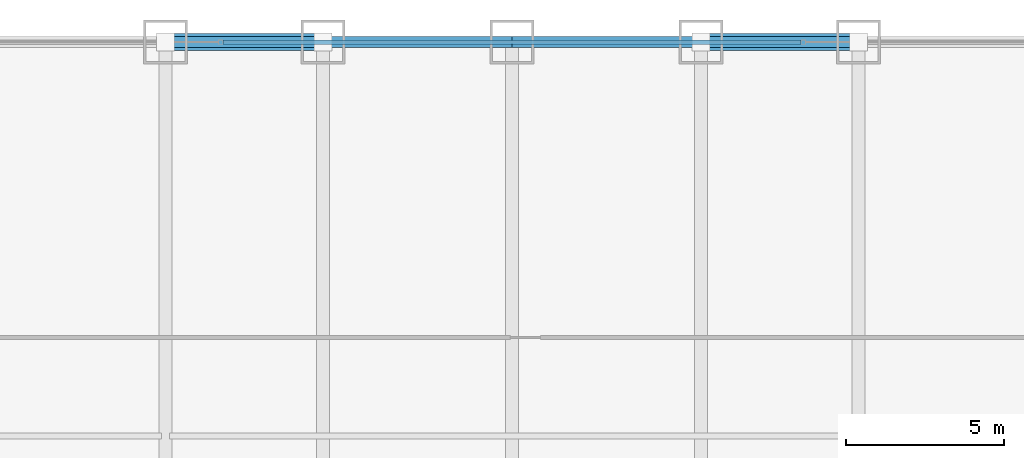
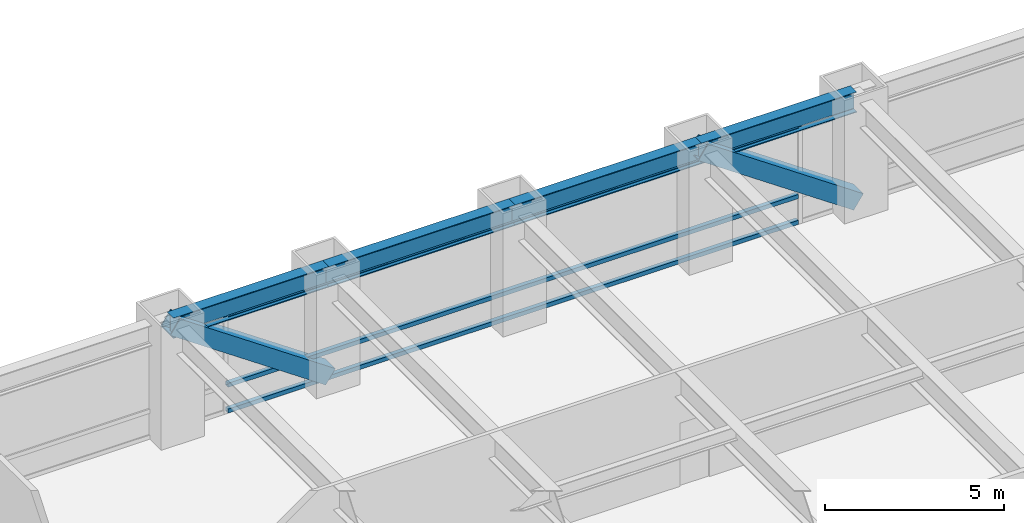
# One storey, part 20 of 27: 5 members, 4 beams, 1 element without a shape of its own.
"""IFC4 building model written with IfcOpenShell, lengths in metres."""

from ifc_helpers import new_model, si_unit, direction, frame, origin, origin_2d, place, context, subcontext, project, spatial, hollow_rectangle, i_section, extrude, source, transform, mapped, material, material_profile, profile_set, type_object, element, aggregate, save


model = new_model("IFC4")

# Units and contexts
model_context = context("Model", 3, precision=1e-05, world=origin(), true_north=direction((0.0, 1.0)))
body_context = subcontext(model_context, "Body", "Model", "MODEL_VIEW")
ifc_project = project(units=[si_unit("LENGTHUNIT", "METRE"), si_unit("AREAUNIT", "SQUARE_METRE"), si_unit("VOLUMEUNIT", "CUBIC_METRE"), si_unit("PLANEANGLEUNIT", "RADIAN"), si_unit("MASSUNIT", "GRAM", prefix="KILO")], contexts=[model_context])

# Site, building, storey
site_placement = place(None, origin())
site = spatial("IfcSite", under=ifc_project, at=site_placement, CompositionType="ELEMENT")
building_placement = place(site_placement, origin())
building = spatial("IfcBuilding", under=site, at=building_placement, Name="Khorayat Bourse Tower", CompositionType="ELEMENT")
storey_placement = place(building_placement, frame((0.0, 0.0, 49.39990234375)))
storey = spatial("IfcBuildingStorey", under=building, at=storey_placement, Name="L10", CompositionType="ELEMENT", Elevation=49.39990234375)

# Beams
ifc_material_1 = material(Name="Steel ASTM A992 Grade 50", Category="steel")
ifc_material_profile_1 = material_profile(ifc_material_1, i_section(OverallWidth=0.35498046875, OverallDepth=0.695068359375, WebThickness=0.015380859375, FlangeThickness=0.02490234375, FilletRadius=0.01806640625, at=origin_2d()), Name="W690X217")
ifc_profile_set_1 = profile_set([ifc_material_profile_1], Name="Steel ASTM A992 Grade 50")
beam_type = type_object("IfcBeamType", Name="BM-SPAN-690", PredefinedType="SPANDREL", material=ifc_profile_set_1)
shared_shape_1 = source(origin(), body_context, "Body", "SweptSolid", [
    extrude(i_section(OverallWidth=0.35498046875, OverallDepth=0.695068359375, WebThickness=0.015380859375, FlangeThickness=0.02490234375, FilletRadius=0.01806640625, at=origin_2d()), origin(), (0.0, 0.0, 1.0), 5.0),
])
for number, where, z_axis, x_axis, name in (
    (1, (6.0, 32.0, 3.592529296875), (1.0, 0.0, 0.0), (0.0, 1.0, 0.0), "L10 BM-SPAN-690 BM-L10-SPN-046"),
    (2, (-11.0, 32.0, 3.592529296875), (1.0, 0.0, 0.0), (0.0, 1.0, 0.0), "L10 BM-SPAN-690 BM-L10-SPN-049"),
):
    element("IfcBeam", number, at=place(storey_placement, frame(where, z_axis=z_axis, x_axis=x_axis)), inside=storey, type_object=beam_type, Name=name, PredefinedType="SPANDREL", context=body_context, shape_type="MappedRepresentation", body=[
        mapped(shared_shape_1, transform((0.0, 0.0, 0.0), scale=1.0)),
    ])
shared_shape_2 = source(origin(), body_context, "Body", "SweptSolid", [
    extrude(i_section(OverallWidth=0.35498046875, OverallDepth=0.695068359375, WebThickness=0.015380859375, FlangeThickness=0.02490234375, FilletRadius=0.01806640625, at=origin_2d()), origin(), (0.0, 0.0, 1.0), 6.0),
])
for number, where, z_axis, x_axis, name in (
    (3, (0.0, 32.0, 3.592529296875), (1.0, 0.0, 0.0), (0.0, 1.0, 0.0), "L10 BM-SPAN-690 BM-L10-SPN-047"),
    (4, (-6.0, 32.0, 3.592529296875), (1.0, 0.0, 0.0), (0.0, 1.0, 0.0), "L10 BM-SPAN-690 BM-L10-SPN-048"),
):
    element("IfcBeam", number, at=place(storey_placement, frame(where, z_axis=z_axis, x_axis=x_axis)), inside=storey, type_object=beam_type, Name=name, PredefinedType="SPANDREL", context=body_context, shape_type="MappedRepresentation", body=[
        mapped(shared_shape_2, transform((0.0, 0.0, 0.0), scale=1.0)),
    ])

# Members
ifc_material_2 = material(Name="Steel EN 10025-4 S460M", Category="steel")
ifc_material_profile_2 = material_profile(ifc_material_2, hollow_rectangle(XDim=0.550048828125, YDim=0.550048828125, WallThickness=0.031982421875, at=origin_2d()), Name="HSS 550x550x32")
ifc_profile_set_2 = profile_set([ifc_material_profile_2], Name="Steel EN 10025-4 S460M")
member_type_1 = type_object("IfcMemberType", Name="MBR-TUBE-550", PredefinedType="BRACE", material=ifc_profile_set_2)
shared_shape_3 = source(origin(), body_context, "Body", "SweptSolid", [
    extrude(hollow_rectangle(XDim=0.550048828125, YDim=0.550048828125, WallThickness=0.031982421875, at=origin_2d()), origin(), (0.0, 0.0, 1.0), 6.069091796875),
])
for number, where, z_axis, x_axis, name in (
    (5, (-11.0, 32.0, 3.690185546875), (0.823835295996, 0.0, -0.566829255659), (0.0, 1.0, 0.0), "L10 Perimeter Tube Brace 03"),
    (6, (6.0, 32.0, 3.690185546875), (0.823835295996, 0.0, -0.566829255659), (0.0, 1.0, 0.0), "L10 Perimeter Tube Brace 04"),
):
    element("IfcMember", number, at=place(storey_placement, frame(where, z_axis=z_axis, x_axis=x_axis)), inside=storey, type_object=member_type_1, Name=name, PredefinedType="BRACE", context=body_context, shape_type="MappedRepresentation", body=[
        mapped(shared_shape_3, transform((0.0, 0.0, 0.0), scale=1.0)),
    ])

# Curtain wall, members
ifc_material_3 = material(Name="Aluminium EN AW-6063 T6", Category="aluminium")
curtain_wall_type = type_object("IfcCurtainWallType", Name="CW-SYS-02", PredefinedType="NOTDEFINED", material=ifc_material_3)
curtain_wall_placement = place(storey_placement, origin())
curtain_wall = element("IfcCurtainWall", 7, at=curtain_wall_placement, inside=storey, type_object=curtain_wall_type, Name="L10 Curtain Wall CW-L10-N1", PredefinedType="NOTDEFINED")
ifc_material_profile_3 = material_profile(ifc_material_3, hollow_rectangle(XDim=0.139892578125, YDim=0.139892578125, WallThickness=0.006103515625, at=origin_2d()), Name="ALU 140x140x6")
ifc_profile_set_3 = profile_set([ifc_material_profile_3], Name="Aluminium EN AW-6063 T6")
member_type_2 = type_object("IfcMemberType", Name="CWT-HORZ-140", PredefinedType="USERDEFINED", material=ifc_profile_set_3)
shared_shape_4 = source(origin(), body_context, "Body", "SweptSolid", [
    extrude(hollow_rectangle(XDim=0.139892578125, YDim=0.139892578125, WallThickness=0.006103515625, at=origin_2d()), origin(), (0.0, 0.0, 1.0), 18.35986328125),
])
member_1_placement = place(storey_placement, frame((-9.179931640625, 32.0, 0.070068359375), z_axis=(1.0, 0.0, 0.0), x_axis=(0.0, 1.0, 0.0)))
member_1 = element("IfcMember", 8, at=member_1_placement, type_object=member_type_2, Name="CW-L10-N1 Horizontal Transom 2-1", ObjectType="TRANSOM", PredefinedType="USERDEFINED", context=body_context, shape_type="MappedRepresentation", body=[
    mapped(shared_shape_4, transform((0.0, 0.0, 0.0), scale=1.0)),
])
member_2_placement = place(storey_placement, frame((-9.179931640625, 32.0, 0.9501953125), z_axis=(1.0, 0.0, 0.0), x_axis=(0.0, 1.0, 0.0)))
member_2 = element("IfcMember", 9, at=member_2_placement, type_object=member_type_2, Name="CW-L10-N1 Horizontal Transom 2-2", ObjectType="TRANSOM", PredefinedType="USERDEFINED", context=body_context, shape_type="MappedRepresentation", body=[
    mapped(shared_shape_4, transform((0.0, 0.0, 0.0), scale=1.0)),
])
member_3_placement = place(storey_placement, frame((-9.179931640625, 32.0, 3.22021484375), z_axis=(1.0, 0.0, 0.0), x_axis=(0.0, 1.0, 0.0)))
member_3 = element("IfcMember", 10, at=member_3_placement, type_object=member_type_2, Name="CW-L10-N1 Horizontal Transom 2-3", ObjectType="TRANSOM", PredefinedType="USERDEFINED", context=body_context, shape_type="MappedRepresentation", body=[
    mapped(shared_shape_4, transform((0.0, 0.0, 0.0), scale=1.0)),
])
aggregate(curtain_wall, [member_1, member_2, member_3])

save(model, "model.ifc")
